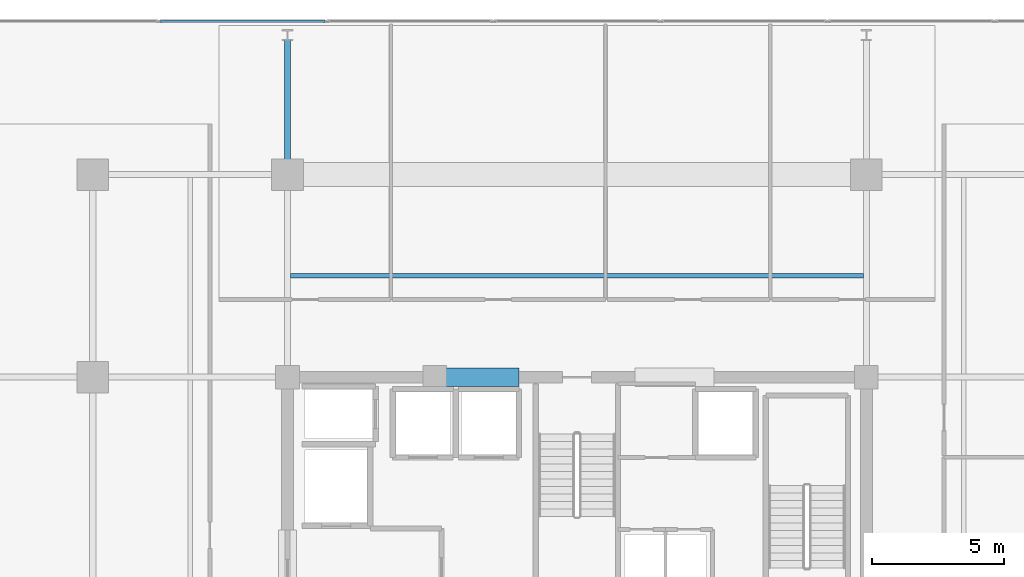
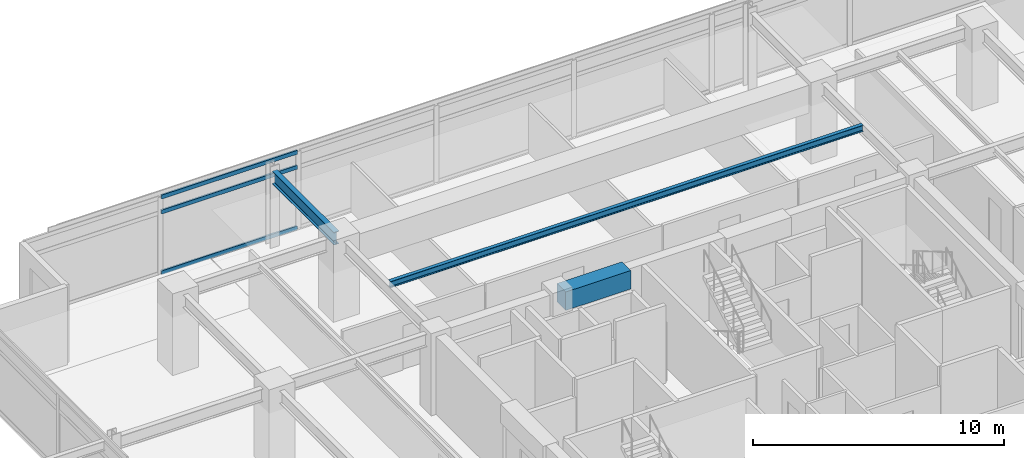
# One storey, part 8 of 23: 3 beams, 3 members, 1 element without a shape of its own.
"""IFC4 building model written with IfcOpenShell, lengths in metres."""

from ifc_helpers import new_model, si_unit, direction, frame, origin, origin_2d, place, context, subcontext, project, spatial, rectangle, hollow_rectangle, i_section, extrude, material, material_profile, profile_set, type_object, element, aggregate, save


model = new_model("IFC4")

# Units and contexts
model_context = context("Model", 3, precision=1e-05, world=origin(), true_north=direction((0.0, 1.0)))
body_context = subcontext(model_context, "Body", "Model", "MODEL_VIEW")
ifc_project = project(units=[si_unit("LENGTHUNIT", "METRE"), si_unit("AREAUNIT", "SQUARE_METRE"), si_unit("VOLUMEUNIT", "CUBIC_METRE"), si_unit("PLANEANGLEUNIT", "RADIAN"), si_unit("MASSUNIT", "GRAM", prefix="KILO")], contexts=[model_context])

# Site, building, storey
site_placement = place(None, origin())
site = spatial("IfcSite", under=ifc_project, at=site_placement, CompositionType="ELEMENT")
building_placement = place(site_placement, origin())
building = spatial("IfcBuilding", under=site, at=building_placement, Name="Kovane Verandah Tower", CompositionType="ELEMENT")
storey_placement = place(building_placement, frame((0.0, 0.0, 267.199951171875)))
storey = spatial("IfcBuildingStorey", under=building, at=storey_placement, Name="L62", CompositionType="ELEMENT", Elevation=267.199951171875)

# Beams
ifc_material_1 = material(Name="Concrete C60/75", Category="concrete")
ifc_material_profile_1 = material_profile(ifc_material_1, rectangle(XDim=0.699951171875, YDim=0.89990234375, at=origin_2d()), Name="RCB700x900")
ifc_profile_set_1 = profile_set([ifc_material_profile_1], Name="Concrete C60/75")
beam_type_1 = type_object("IfcBeamType", Name="BM-LINTEL-700x900", PredefinedType="LINTEL", material=ifc_profile_set_1)
beam_1_placement = place(storey_placement, frame((34.800048828125, 36.5, 3.3349609375), z_axis=(1.0, 0.0, 0.0), x_axis=(0.0, 1.0, 0.0)))
element("IfcBeam", 1, at=beam_1_placement, inside=storey, type_object=beam_type_1, Name="L62 Core Coupling Lintel CL-N1", PredefinedType="LINTEL", context=body_context, shape_type="SweptSolid", body=[
    extrude(rectangle(XDim=0.699951171875, YDim=0.89990234375, at=origin_2d()), origin(), (0.0, 0.0, 1.0), 3.0),
])
ifc_material_2 = material(Name="Steel S355", Category="steel")
ifc_material_profile_2 = material_profile(ifc_material_2, i_section(OverallWidth=0.230224609375, OverallDepth=0.6171875, WebThickness=0.01318359375, FlangeThickness=0.022216796875, FilletRadius=0.0126953125, at=origin_2d()), Name="UB610x229x140")
ifc_profile_set_2 = profile_set([ifc_material_profile_2], Name="Steel S355")
beam_type_2 = type_object("IfcBeamType", Name="BM-UB610x140", PredefinedType="BEAM", material=ifc_profile_set_2)
beam_2_placement = place(storey_placement, frame((29.0, 44.3798828125, 3.451416015625), z_axis=(0.0, 1.0, 0.0), x_axis=(-1.0, 0.0, 0.0)))
element("IfcBeam", 2, at=beam_2_placement, inside=storey, type_object=beam_type_2, Name="L62 Primary Tower Girder G-VN1", PredefinedType="BEAM", context=body_context, shape_type="SweptSolid", body=[
    extrude(i_section(OverallWidth=0.230224609375, OverallDepth=0.6171875, WebThickness=0.01318359375, FlangeThickness=0.022216796875, FilletRadius=0.0126953125, at=origin_2d()), origin(), (0.0, 0.0, 1.0), 4.940185546875),
])

# Curtain wall, members
ifc_material_3 = material(Name="Champagne Anodised Aluminium Frame with Low-E Clear Laminated Glass", Category="aluminium")
curtain_wall_type = type_object("IfcCurtainWallType", Name="CW-SYS-05-HIGH", PredefinedType="NOTDEFINED", material=ifc_material_3)
curtain_wall_placement = place(storey_placement, origin())
curtain_wall = element("IfcCurtainWall", 3, at=curtain_wall_placement, inside=storey, type_object=curtain_wall_type, Name="L62 N Unitised Curtain Wall", PredefinedType="NOTDEFINED")
ifc_material_4 = material(Name="Champagne Anodised Aluminium 6063-T6", Category="aluminium")
ifc_material_profile_3 = material_profile(ifc_material_4, hollow_rectangle(XDim=0.0849609375, YDim=0.18994140625, WallThickness=0.00390625, at=origin_2d()), Name="AL85x190x4")
ifc_profile_set_3 = profile_set([ifc_material_profile_3], Name="Champagne Anodised Aluminium 6063-T6")
member_type = type_object("IfcMemberType", Name="CW-TRN-85x190", PredefinedType="USERDEFINED", material=ifc_profile_set_3)
member_1_placement = place(storey_placement, frame((30.427001953125, 50.0234375, 0.050048828125), z_axis=(-1.0, 0.0, 0.0), x_axis=(0.0, -1.0, 0.0)))
member_1 = element("IfcMember", 4, at=member_1_placement, type_object=member_type, Name="L62 N Unitised Curtain Wall Transom TB Bay 6", ObjectType="TRANSOM", PredefinedType="USERDEFINED", context=body_context, shape_type="SweptSolid", body=[
    extrude(hollow_rectangle(XDim=0.0849609375, YDim=0.18994140625, WallThickness=0.00390625, at=origin_2d()), origin(), (0.0, 0.0, 1.0), 6.2490234375),
])
member_2_placement = place(storey_placement, frame((30.427001953125, 50.0234375, 3.005126953125), z_axis=(-1.0, 0.0, 0.0), x_axis=(0.0, -1.0, 0.0)))
member_2 = element("IfcMember", 5, at=member_2_placement, type_object=member_type, Name="L62 N Unitised Curtain Wall Transom TM Bay 6", ObjectType="TRANSOM", PredefinedType="USERDEFINED", context=body_context, shape_type="SweptSolid", body=[
    extrude(hollow_rectangle(XDim=0.0849609375, YDim=0.18994140625, WallThickness=0.00390625, at=origin_2d()), origin(), (0.0, 0.0, 1.0), 6.2490234375),
])
member_3_placement = place(storey_placement, frame((30.427001953125, 50.0234375, 3.735107421875), z_axis=(-1.0, 0.0, 0.0), x_axis=(0.0, -1.0, 0.0)))
member_3 = element("IfcMember", 6, at=member_3_placement, type_object=member_type, Name="L62 N Unitised Curtain Wall Transom TT Bay 6", ObjectType="TRANSOM", PredefinedType="USERDEFINED", context=body_context, shape_type="SweptSolid", body=[
    extrude(hollow_rectangle(XDim=0.0849609375, YDim=0.18994140625, WallThickness=0.00390625, at=origin_2d()), origin(), (0.0, 0.0, 1.0), 6.2490234375),
])
aggregate(curtain_wall, [member_1, member_2, member_3])

# Beam
ifc_material_profile_4 = material_profile(ifc_material_2, i_section(OverallWidth=0.1669921875, OverallDepth=0.310302734375, WebThickness=0.0078125, FlangeThickness=0.013671875, FilletRadius=0.0087890625, at=origin_2d()), Name="UB305x165x54")
ifc_profile_set_4 = profile_set([ifc_material_profile_4], Name="Steel S355")
beam_type_3 = type_object("IfcBeamType", Name="JST-UB305x54", PredefinedType="JOIST", material=ifc_profile_set_4)
beam_3_placement = place(storey_placement, frame((29.113037109375, 40.35009765625, 3.6298828125), z_axis=(1.0, 0.0, 0.0), x_axis=(0.0, 1.0, 0.0)))
element("IfcBeam", 7, at=beam_3_placement, inside=storey, type_object=beam_type_3, Name="L62 Secondary Composite Joist J-N1", PredefinedType="JOIST", context=body_context, shape_type="SweptSolid", body=[
    extrude(i_section(OverallWidth=0.1669921875, OverallDepth=0.310302734375, WebThickness=0.0078125, FlangeThickness=0.013671875, FilletRadius=0.0087890625, at=origin_2d()), origin(), (0.0, 0.0, 1.0), 21.77392578125),
])

save(model, "model.ifc")
